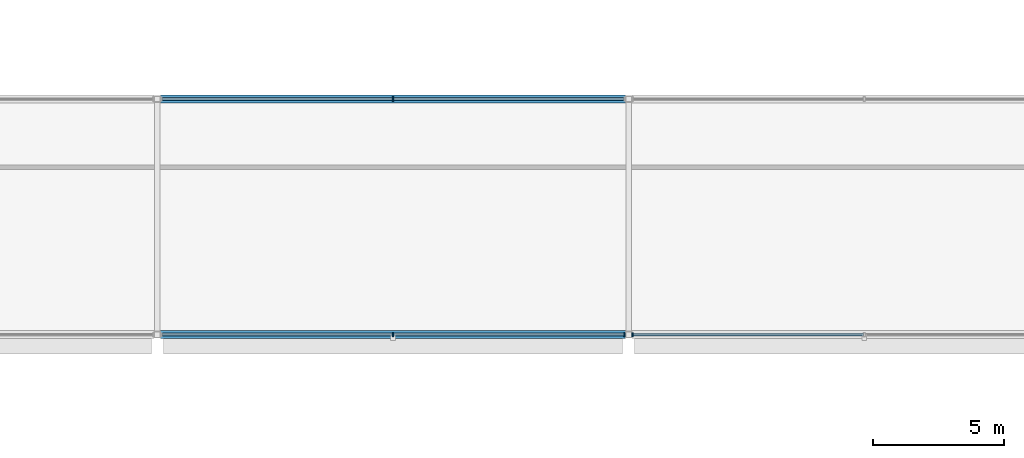
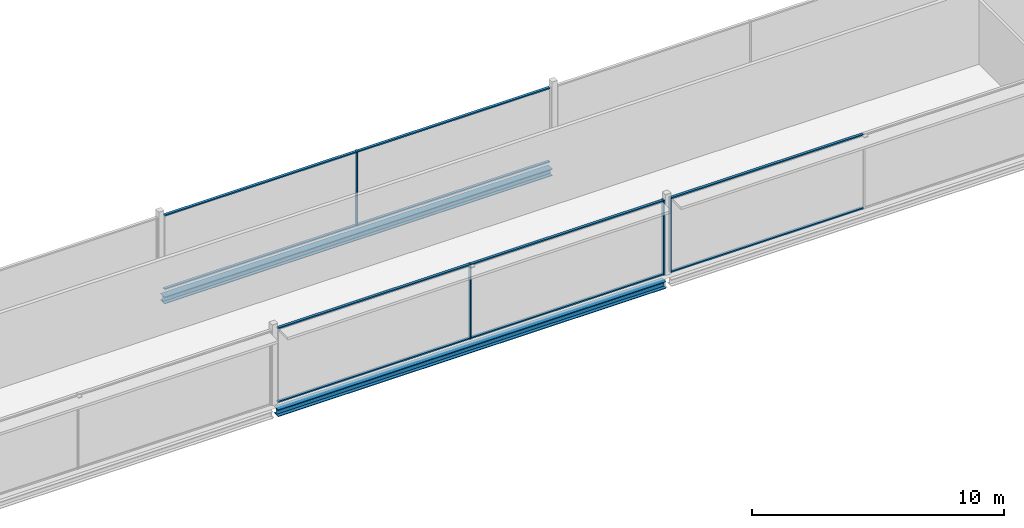
# One storey, part 35 of 98: 14 members, 2 beams, 3 elements without a shape of their own.
"""IFC4 building model written with IfcOpenShell, lengths in metres."""

from ifc_helpers import new_model, si_unit, direction, frame, origin, origin_2d, place, context, subcontext, project, spatial, rectangle, i_section, extrude, material, layer, layer_set, material_profile, profile_set, type_object, element, aggregate, save


model = new_model("IFC4")

# Units and contexts
model_context = context("Model", 3, precision=1e-05, world=origin(), true_north=direction((0.0, 1.0)))
body_context = subcontext(model_context, "Body", "Model", "MODEL_VIEW")
ifc_project = project(units=[si_unit("LENGTHUNIT", "METRE"), si_unit("AREAUNIT", "SQUARE_METRE"), si_unit("VOLUMEUNIT", "CUBIC_METRE"), si_unit("PLANEANGLEUNIT", "RADIAN"), si_unit("MASSUNIT", "GRAM", prefix="KILO")], contexts=[model_context])

# Site, building, storey
site_placement = place(None, origin())
site = spatial("IfcSite", under=ifc_project, at=site_placement, CompositionType="ELEMENT")
building_placement = place(site_placement, origin())
building = spatial("IfcBuilding", under=site, at=building_placement, Name="Kisiwana Market Hall", CompositionType="ELEMENT")
storey_placement = place(building_placement, frame((0.0, 0.0, 29.39990234375)))
storey = spatial("IfcBuildingStorey", under=building, at=storey_placement, Name="L06", CompositionType="ELEMENT", Elevation=29.39990234375)

# Beams
ifc_material_1 = material(Name="Steel S355", Category="steel")
ifc_material_profile_1 = material_profile(ifc_material_1, i_section(OverallWidth=0.314453125, OverallDepth=0.33984375, WebThickness=0.01904296875, FlangeThickness=0.031494140625, at=origin_2d()), Name="UC 305x305x198")
ifc_profile_set_1 = profile_set([ifc_material_profile_1], Name="Steel S355")
beam_type = type_object("IfcBeamType", Name="BM-SKYBR-CHORD", PredefinedType="BEAM", material=ifc_profile_set_1)
for number, where, z_axis, x_axis, name in (
    (1, (63.12109375, 93.0, -0.434814453125), (1.0, 0.0, 0.0), (0.0, 1.0, 0.0), "Floor beam B-1822"),
    (2, (63.12109375, 102.0, -0.434814453125), (1.0, 0.0, 0.0), (0.0, 1.0, 0.0), "Floor beam B-1832"),
):
    element("IfcBeam", number, at=place(storey_placement, frame(where, z_axis=z_axis, x_axis=x_axis)), inside=storey, type_object=beam_type, Name=name, PredefinedType="BEAM", context=body_context, shape_type="SweptSolid", body=[
        extrude(i_section(OverallWidth=0.314453125, OverallDepth=0.33984375, WebThickness=0.01904296875, FlangeThickness=0.031494140625, at=origin_2d()), origin(), (0.0, 0.0, 1.0), 17.7578125),
    ])

# Curtain wall, members
ifc_material_2 = material(Name="Double-glazed solar-control low-E IGU", Category="glass")
ifc_layer = layer(ifc_material_2, 0.159912109375)
ifc_layer_set = layer_set([ifc_layer], Name="CW-ZNA-EW-8200")
curtain_wall_type = type_object("IfcCurtainWallType", Name="CW-ZNA-EW-8200", PredefinedType="USERDEFINED", material=ifc_layer_set)
curtain_wall_1_placement = place(storey_placement, origin())
curtain_wall_1 = element("IfcCurtainWall", 3, at=curtain_wall_1_placement, inside=storey, type_object=curtain_wall_type, Name="Unitised curtain wall CW-185 (L06)", ObjectType="UNITISED CURTAIN WALL", PredefinedType="USERDEFINED")
ifc_material_3 = material(Name="Aluminium alloy 6063-T6", Category="aluminium")
ifc_material_profile_2 = material_profile(ifc_material_3, rectangle(XDim=0.06005859375, YDim=0.159912109375, at=origin_2d()), Name="ALU MULLION 60x160")
ifc_profile_set_2 = profile_set([ifc_material_profile_2], Name="Aluminium alloy 6063-T6")
member_type_1 = type_object("IfcMemberType", Name="CW-MULL-60x160", PredefinedType="MULLION", material=ifc_profile_set_2)
member_1_placement = place(storey_placement, frame((72.0, 93.0, 0.0), z_axis=(0.0, 0.0, 1.0), x_axis=(1.0, 0.0, 0.0)))
member_1 = element("IfcMember", 4, at=member_1_placement, type_object=member_type_1, Name="CW-185 mullion 2", PredefinedType="MULLION", context=body_context, shape_type="SweptSolid", body=[
    extrude(rectangle(XDim=0.06005859375, YDim=0.159912109375, at=origin_2d()), origin(), (0.0, 0.0, 1.0), 3.6201171875),
])
member_2_placement = place(storey_placement, frame((80.844970703125, 93.0, 0.0), z_axis=(0.0, 0.0, 1.0), x_axis=(1.0, 0.0, 0.0)))
member_2 = element("IfcMember", 5, at=member_2_placement, type_object=member_type_1, Name="CW-185 mullion 3", PredefinedType="MULLION", context=body_context, shape_type="SweptSolid", body=[
    extrude(rectangle(XDim=0.06005859375, YDim=0.159912109375, at=origin_2d()), origin(), (0.0, 0.0, 1.0), 3.6201171875),
])

# Curtain wall, member
curtain_wall_2_placement = place(storey_placement, origin())
curtain_wall_2 = element("IfcCurtainWall", 6, at=curtain_wall_2_placement, inside=storey, type_object=curtain_wall_type, Name="Unitised curtain wall CW-186 (L06)", ObjectType="UNITISED CURTAIN WALL", PredefinedType="USERDEFINED")
member_3_placement = place(storey_placement, frame((81.155029296875, 93.0, 0.0), z_axis=(0.0, 0.0, 1.0), x_axis=(1.0, 0.0, 0.0)))
member_3 = element("IfcMember", 7, at=member_3_placement, type_object=member_type_1, Name="CW-186 mullion 1", PredefinedType="MULLION", context=body_context, shape_type="SweptSolid", body=[
    extrude(rectangle(XDim=0.06005859375, YDim=0.159912109375, at=origin_2d()), origin(), (0.0, 0.0, 1.0), 3.6201171875),
])

curtain_wall_3_placement = place(storey_placement, origin())
curtain_wall_3 = element("IfcCurtainWall", 8, at=curtain_wall_3_placement, inside=storey, type_object=curtain_wall_type, Name="Unitised curtain wall CW-191 (L06)", ObjectType="UNITISED CURTAIN WALL", PredefinedType="USERDEFINED")
member_4_placement = place(storey_placement, frame((72.0, 102.0, 0.0), z_axis=(0.0, 0.0, 1.0), x_axis=(1.0, 0.0, 0.0)))
member_4 = element("IfcMember", 9, at=member_4_placement, type_object=member_type_1, Name="CW-191 mullion 2", PredefinedType="MULLION", context=body_context, shape_type="SweptSolid", body=[
    extrude(rectangle(XDim=0.06005859375, YDim=0.159912109375, at=origin_2d()), origin(), (0.0, 0.0, 1.0), 3.6201171875),
])

# Member
ifc_material_4 = material(Name="Aluminium alloy 6063-T6", Category="aluminium")
ifc_material_profile_3 = material_profile(ifc_material_4, rectangle(XDim=0.1201171875, YDim=0.06005859375, at=origin_2d()), Name="ALU TRANSOM 60x120")
ifc_profile_set_3 = profile_set([ifc_material_profile_3], Name="Aluminium alloy 6063-T6")
member_type_2 = type_object("IfcMemberType", Name="CW-TRAN-60x120", PredefinedType="USERDEFINED", material=ifc_profile_set_3)
member_5_placement = place(storey_placement, frame((63.18505859375, 93.0, 0.030029296875), z_axis=(1.0, 0.0, 0.0), x_axis=(0.0, 1.0, 0.0)))
member_5 = element("IfcMember", 10, at=member_5_placement, type_object=member_type_2, Name="CW-185 transom 1.1", ObjectType="TRANSOM", PredefinedType="USERDEFINED", context=body_context, shape_type="SweptSolid", body=[
    extrude(rectangle(XDim=0.1201171875, YDim=0.06005859375, at=origin_2d()), origin(), (0.0, 0.0, 1.0), 8.784912109375),
])

member_6_placement = place(storey_placement, frame((63.18505859375, 93.0, 3.590087890625), z_axis=(1.0, 0.0, 0.0), x_axis=(0.0, 1.0, 0.0)))
member_6 = element("IfcMember", 11, at=member_6_placement, type_object=member_type_2, Name="CW-185 transom 1.2", ObjectType="TRANSOM", PredefinedType="USERDEFINED", context=body_context, shape_type="SweptSolid", body=[
    extrude(rectangle(XDim=0.1201171875, YDim=0.06005859375, at=origin_2d()), origin(), (0.0, 0.0, 1.0), 8.784912109375),
])

member_7_placement = place(storey_placement, frame((72.030029296875, 93.0, 0.030029296875), z_axis=(1.0, 0.0, 0.0), x_axis=(0.0, 1.0, 0.0)))
member_7 = element("IfcMember", 12, at=member_7_placement, type_object=member_type_2, Name="CW-185 transom 2.1", ObjectType="TRANSOM", PredefinedType="USERDEFINED", context=body_context, shape_type="SweptSolid", body=[
    extrude(rectangle(XDim=0.1201171875, YDim=0.06005859375, at=origin_2d()), origin(), (0.0, 0.0, 1.0), 8.784912109375),
])

member_8_placement = place(storey_placement, frame((72.030029296875, 93.0, 3.590087890625), z_axis=(1.0, 0.0, 0.0), x_axis=(0.0, 1.0, 0.0)))
member_8 = element("IfcMember", 13, at=member_8_placement, type_object=member_type_2, Name="CW-185 transom 2.2", ObjectType="TRANSOM", PredefinedType="USERDEFINED", context=body_context, shape_type="SweptSolid", body=[
    extrude(rectangle(XDim=0.1201171875, YDim=0.06005859375, at=origin_2d()), origin(), (0.0, 0.0, 1.0), 8.784912109375),
])

aggregate(curtain_wall_1, [member_1, member_2, member_5, member_6, member_7, member_8])

member_9_placement = place(storey_placement, frame((81.18505859375, 93.0, 0.030029296875), z_axis=(1.0, 0.0, 0.0), x_axis=(0.0, 1.0, 0.0)))
member_9 = element("IfcMember", 14, at=member_9_placement, type_object=member_type_2, Name="CW-186 transom 1.1", ObjectType="TRANSOM", PredefinedType="USERDEFINED", context=body_context, shape_type="SweptSolid", body=[
    extrude(rectangle(XDim=0.1201171875, YDim=0.06005859375, at=origin_2d()), origin(), (0.0, 0.0, 1.0), 8.784912109375),
])

member_10_placement = place(storey_placement, frame((81.18505859375, 93.0, 3.590087890625), z_axis=(1.0, 0.0, 0.0), x_axis=(0.0, 1.0, 0.0)))
member_10 = element("IfcMember", 15, at=member_10_placement, type_object=member_type_2, Name="CW-186 transom 1.2", ObjectType="TRANSOM", PredefinedType="USERDEFINED", context=body_context, shape_type="SweptSolid", body=[
    extrude(rectangle(XDim=0.1201171875, YDim=0.06005859375, at=origin_2d()), origin(), (0.0, 0.0, 1.0), 8.784912109375),
])

aggregate(curtain_wall_2, [member_3, member_9, member_10])

member_11_placement = place(storey_placement, frame((63.18505859375, 102.0, 0.030029296875), z_axis=(1.0, 0.0, 0.0), x_axis=(0.0, 1.0, 0.0)))
member_11 = element("IfcMember", 16, at=member_11_placement, type_object=member_type_2, Name="CW-191 transom 1.1", ObjectType="TRANSOM", PredefinedType="USERDEFINED", context=body_context, shape_type="SweptSolid", body=[
    extrude(rectangle(XDim=0.1201171875, YDim=0.06005859375, at=origin_2d()), origin(), (0.0, 0.0, 1.0), 8.784912109375),
])

member_12_placement = place(storey_placement, frame((63.18505859375, 102.0, 3.590087890625), z_axis=(1.0, 0.0, 0.0), x_axis=(0.0, 1.0, 0.0)))
member_12 = element("IfcMember", 17, at=member_12_placement, type_object=member_type_2, Name="CW-191 transom 1.2", ObjectType="TRANSOM", PredefinedType="USERDEFINED", context=body_context, shape_type="SweptSolid", body=[
    extrude(rectangle(XDim=0.1201171875, YDim=0.06005859375, at=origin_2d()), origin(), (0.0, 0.0, 1.0), 8.784912109375),
])

member_13_placement = place(storey_placement, frame((72.030029296875, 102.0, 0.030029296875), z_axis=(1.0, 0.0, 0.0), x_axis=(0.0, 1.0, 0.0)))
member_13 = element("IfcMember", 18, at=member_13_placement, type_object=member_type_2, Name="CW-191 transom 2.1", ObjectType="TRANSOM", PredefinedType="USERDEFINED", context=body_context, shape_type="SweptSolid", body=[
    extrude(rectangle(XDim=0.1201171875, YDim=0.06005859375, at=origin_2d()), origin(), (0.0, 0.0, 1.0), 8.784912109375),
])

member_14_placement = place(storey_placement, frame((72.030029296875, 102.0, 3.590087890625), z_axis=(1.0, 0.0, 0.0), x_axis=(0.0, 1.0, 0.0)))
member_14 = element("IfcMember", 19, at=member_14_placement, type_object=member_type_2, Name="CW-191 transom 2.2", ObjectType="TRANSOM", PredefinedType="USERDEFINED", context=body_context, shape_type="SweptSolid", body=[
    extrude(rectangle(XDim=0.1201171875, YDim=0.06005859375, at=origin_2d()), origin(), (0.0, 0.0, 1.0), 8.784912109375),
])

aggregate(curtain_wall_3, [member_4, member_11, member_12, member_13, member_14])

save(model, "model.ifc")
